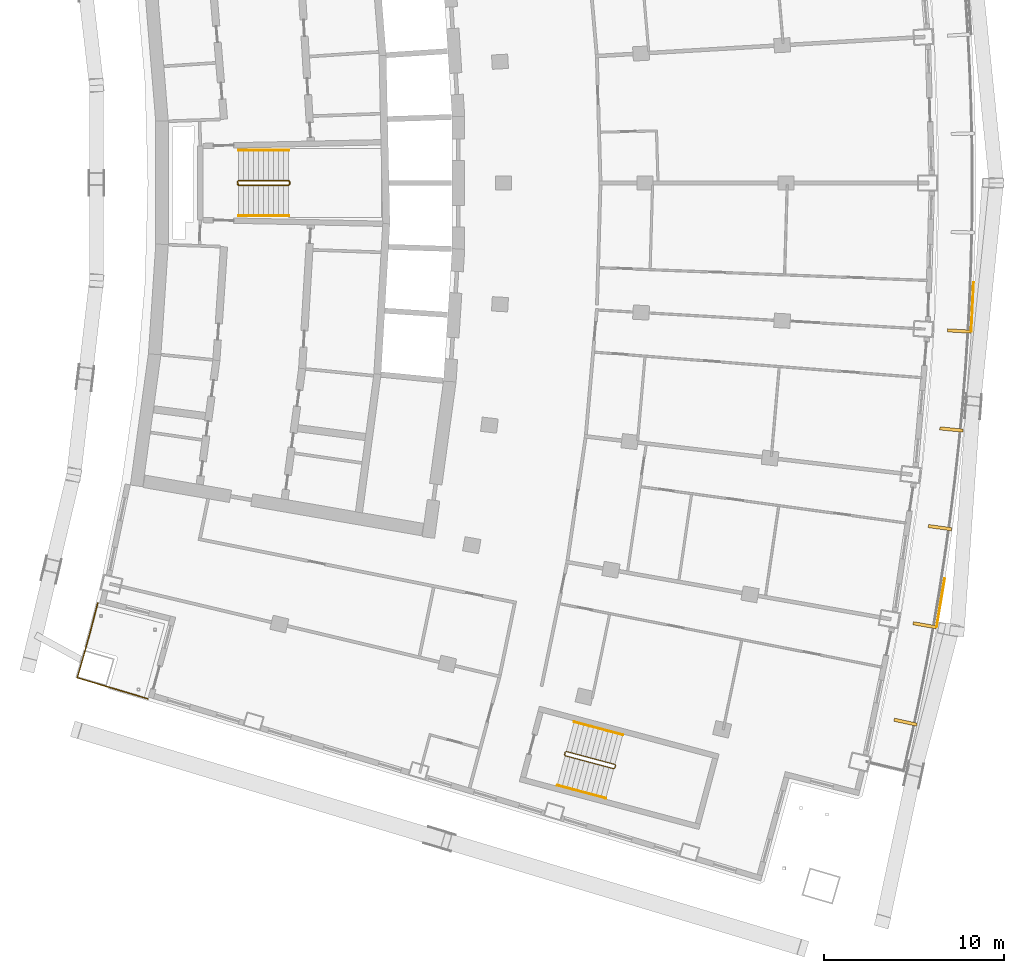
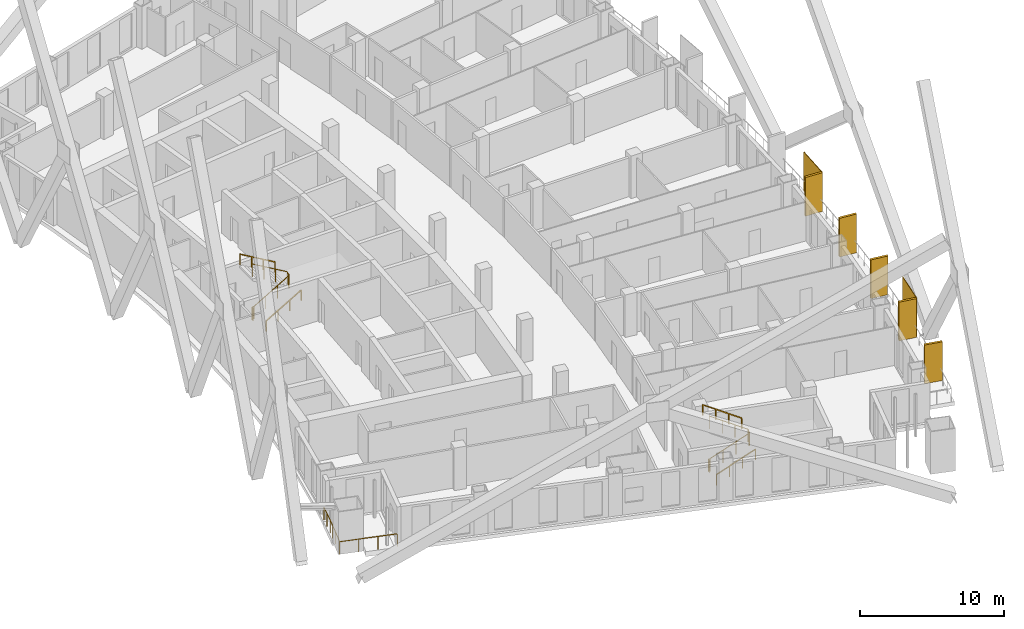
# One storey, part 20 of 22: 7 railings, 7 shading devices.
"""IFC4 building model written with IfcOpenShell, lengths in metres."""

from ifc_helpers import new_model, si_unit, direction, frame, origin, origin_with_axes, origin_2d, place, context, subcontext, project, spatial, rectangle, extrude, material, layer, layer_set, type_object, element, save


model = new_model("IFC4")

# Units and contexts
model_context = context("Model", 3, precision=1e-05, world=origin(), true_north=direction((0.0, 1.0)))
body_context = subcontext(model_context, "Body", "Model", "MODEL_VIEW")
ifc_project = project(units=[si_unit("LENGTHUNIT", "METRE"), si_unit("AREAUNIT", "SQUARE_METRE"), si_unit("VOLUMEUNIT", "CUBIC_METRE"), si_unit("PLANEANGLEUNIT", "RADIAN"), si_unit("MASSUNIT", "GRAM", prefix="KILO")], contexts=[model_context])

# Site, building, storey
site_placement = place(None, origin())
site = spatial("IfcSite", under=ifc_project, at=site_placement, CompositionType="ELEMENT")
building_placement = place(site_placement, origin())
building = spatial("IfcBuilding", under=site, at=building_placement, Name="Alderwake Tower", CompositionType="ELEMENT")
storey_placement = place(building_placement, frame((0.0, 0.0, 160.39990234375)))
storey = spatial("IfcBuildingStorey", under=building, at=storey_placement, Name="L39", CompositionType="ELEMENT", Elevation=160.39990234375)

# Railing
ifc_material_1 = material(Name="Stainless steel 316 rail and posts", Category="steel")
railing_type_1 = type_object("IfcRailingType", Name="Balcony guard 1100", PredefinedType="GUARDRAIL", material=ifc_material_1)
railing_1_placement = place(storey_placement, frame((13.210693359375, 37.612548828125, 0.0)))
element("IfcRailing", 1, at=railing_1_placement, inside=storey, type_object=railing_type_1, Name="Guard terrace RS", PredefinedType="GUARDRAIL", context=body_context, shape_type="SweptSolid", body=[
    extrude(rectangle(XDim=0.048095703125, YDim=0.048095703125, at=origin_2d()), frame((0.0, 0.0, 1.076171875), z_axis=(-0.251385381433, -0.967887075026, 0.0), x_axis=(0.967887075026, -0.251385381433, 0.0)), (0.0, 0.0, 1.0), 1.6015625),
    extrude(rectangle(XDim=0.048095703125, YDim=0.048095703125, at=origin_2d()), frame((-0.402587890625, -1.550048828125, 1.076171875), z_axis=(-0.266520638672, -0.963829211615, 0.0), x_axis=(0.963829211615, -0.266520638672, 0.0)), (0.0, 0.0, 1.0), 1.401611328125),
    extrude(rectangle(XDim=0.048095703125, YDim=0.048095703125, at=origin_2d()), frame((-0.776123046875, -2.90087890625, 1.076171875), z_axis=(-0.280093650878, -0.959972680204, 0.0), x_axis=(0.959972680204, -0.280093650878, 0.0)), (0.0, 0.0, 1.0), 1.30126953125),
    extrude(rectangle(XDim=0.048095703125, YDim=0.048095703125, at=origin_2d()), frame((-1.140625, -4.150146484375, 1.076171875), z_axis=(0.958066871889, -0.286544706789, 0.0), x_axis=(0.286544706789, 0.958066871889, 0.0)), (0.0, 0.0, 1.0), 4.099853515625),
    extrude(rectangle(XDim=0.0419921875, YDim=0.0419921875, at=origin_2d()), frame((0.0, 0.0, 0.0), z_axis=(0.0, 0.0, 1.0), x_axis=(-0.251385381433, -0.967887075026, 0.0)), (0.0, 0.0, 1.0), 1.052001953125),
    extrude(rectangle(XDim=0.0419921875, YDim=0.0419921875, at=origin_2d()), frame((-0.201171875, -0.77490234375, 0.0), z_axis=(0.0, 0.0, 1.0), x_axis=(-0.251385381433, -0.967887075026, 0.0)), (0.0, 0.0, 1.0), 1.052001953125),
    extrude(rectangle(XDim=0.0419921875, YDim=0.0419921875, at=origin_2d()), frame((-0.402587890625, -1.550048828125, 0.0), z_axis=(0.0, 0.0, 1.0), x_axis=(-0.266520638672, -0.963829211615, 0.0)), (0.0, 0.0, 1.0), 1.052001953125),
    extrude(rectangle(XDim=0.0419921875, YDim=0.0419921875, at=origin_2d()), frame((-0.58935546875, -2.2255859375, 0.0), z_axis=(0.0, 0.0, 1.0), x_axis=(-0.266520638672, -0.963829211615, 0.0)), (0.0, 0.0, 1.0), 1.052001953125),
    extrude(rectangle(XDim=0.0419921875, YDim=0.0419921875, at=origin_2d()), frame((-0.776123046875, -2.90087890625, 0.0), z_axis=(0.0, 0.0, 1.0), x_axis=(-0.280093650878, -0.959972680204, 0.0)), (0.0, 0.0, 1.0), 1.052001953125),
    extrude(rectangle(XDim=0.0419921875, YDim=0.0419921875, at=origin_2d()), frame((-1.140625, -4.150146484375, 0.0), z_axis=(0.0, 0.0, 1.0), x_axis=(0.958066871889, -0.286544706789, 0.0)), (0.0, 0.0, 1.0), 1.052001953125),
    extrude(rectangle(XDim=0.0419921875, YDim=0.0419921875, at=origin_2d()), frame((0.168701171875, -4.541748046875, 0.0), z_axis=(0.0, 0.0, 1.0), x_axis=(0.958066871889, -0.286544706789, 0.0)), (0.0, 0.0, 1.0), 1.052001953125),
    extrude(rectangle(XDim=0.0419921875, YDim=0.0419921875, at=origin_2d()), frame((1.47802734375, -4.933349609375, 0.0), z_axis=(0.0, 0.0, 1.0), x_axis=(0.958066871889, -0.286544706789, 0.0)), (0.0, 0.0, 1.0), 1.052001953125),
    extrude(rectangle(XDim=0.0419921875, YDim=0.0419921875, at=origin_2d()), frame((2.787353515625, -5.324951171875, 0.0), z_axis=(0.0, 0.0, 1.0), x_axis=(0.958066871889, -0.286544706789, 0.0)), (0.0, 0.0, 1.0), 1.052001953125),
])

# Shading devices
ifc_material_2 = material(Name="Bronze anodised aluminium", Category="aluminium")
ifc_layer_1 = layer(ifc_material_2, 0.179931640625)
ifc_layer_set_1 = layer_set([ifc_layer_1], Name="Facade fin 1300")
shading_device_type_1 = type_object("IfcShadingDeviceType", Name="Facade fin 1300", PredefinedType="USERDEFINED", material=ifc_layer_set_1)
for number, where, z_axis, x_axis, name in (
    (2, (58.177490234375, 30.984619140625, 0.0), (0.0, 0.0, 1.0), (0.977210363881, -0.212273184185, 0.0), "Fin"),
    (3, (59.240234375, 36.381103515625, 0.0), (0.0, 0.0, 1.0), (0.984726421654, -0.174108800747, 0.0), "Fin"),
    (4, (60.09228515625, 41.814697265625, 0.0), (0.0, 0.0, 1.0), (0.990752577235, -0.135680988728, 0.0), "Fin"),
    (5, (60.732666015625, 47.277587890625, 0.0), (0.0, 0.0, 1.0), (0.995279882363, -0.097046152751, 0.0), "Fin"),
    (6, (61.159912109375, 52.760986328125, 0.0), (0.0, 0.0, 1.0), (0.998301080988, -0.058266214038, 0.0), "Fin"),
):
    element("IfcShadingDevice", number, at=place(storey_placement, frame(where, z_axis=z_axis, x_axis=x_axis)), inside=storey, type_object=shading_device_type_1, Name=name, ObjectType="FIN", PredefinedType="USERDEFINED", context=body_context, shape_type="SweptSolid", body=[
        extrude(rectangle(XDim=1.300048828125, YDim=0.179931640625, at=origin_2d()), origin(), (0.0, 0.0, 1.0), 3.280029296875),
    ])
ifc_material_3 = material(Name="Perforated bronze anodised aluminium", Category="aluminium")
ifc_layer_2 = layer(ifc_material_3, 0.050048828125)
ifc_layer_set_2 = layer_set([ifc_layer_2], Name="Perforated screen panel")
shading_device_type_2 = type_object("IfcShadingDeviceType", Name="Perforated screen panel", PredefinedType="USERDEFINED", material=ifc_layer_set_2)
for number, where, z_axis, x_axis, name in (
    (7, (60.1318359375, 37.622802734375, 0.0), (0.0, 0.0, 1.0), (0.986369013299, -0.164548380739, 0.0), "Screen panel"),
    (8, (61.900634765625, 54.09814453125, 0.0), (0.0, 0.0, 1.0), (0.998819231138, -0.048581308217, 0.0), "Screen panel"),
):
    element("IfcShadingDevice", number, at=place(storey_placement, frame(where, z_axis=z_axis, x_axis=x_axis)), inside=storey, type_object=shading_device_type_2, Name=name, ObjectType="SCREEN", PredefinedType="USERDEFINED", context=body_context, shape_type="SweptSolid", body=[
        extrude(rectangle(XDim=0.050048828125, YDim=2.756103515625, at=origin_2d()), origin(), (0.0, 0.0, 1.0), 3.280029296875),
    ])

# Railings
ifc_material_4 = material(Name="Stainless steel guard", Category="steel")
railing_type_2 = type_object("IfcRailingType", Name="Stair guard 1100", PredefinedType="GUARDRAIL", material=ifc_material_4)
railing_2_placement = place(storey_placement, frame((20.989990234375, 60.925048828125, 0.0)))
element("IfcRailing", 9, at=railing_2_placement, inside=storey, type_object=railing_type_2, Name="L39 ST-B stair guard 1", PredefinedType="GUARDRAIL", context=body_context, shape_type="SweptSolid", body=[
    extrude(rectangle(XDim=0.048095703125, YDim=0.048095703125, at=origin_2d()), frame((0.0, 0.0, 1.076171875), z_axis=(0.0, 1.0, 0.0), x_axis=(-1.0, 0.0, 0.0)), (0.0, 0.0, 1.0), 0.14990234375),
    extrude(rectangle(XDim=0.048095703125, YDim=0.048095703125, at=origin_2d()), frame((0.0, 0.14990234375, 1.076171875), z_axis=(0.190089865108, -0.759432192796, 0.622196582865), x_axis=(0.970072785993, 0.242814311512, 0.0)), (0.0, 0.0, 1.0), 0.26318359375),
    extrude(rectangle(XDim=0.048095703125, YDim=0.048095703125, at=origin_2d()), frame((0.050048828125, -0.050048828125, 1.23974609375), z_axis=(0.863393664356, 0.0, 0.504530851732), x_axis=(0.0, 1.0, 0.0)), (0.0, 0.0, 1.0), 3.2431640625),
    extrude(rectangle(XDim=0.048095703125, YDim=0.048095703125, at=origin_2d()), frame((2.85009765625, -0.050048828125, 2.8759765625), z_axis=(0.705375805398, 0.708833529934, 0.0), x_axis=(-0.708833529934, 0.705375805398, 0.0)), (0.0, 0.0, 1.0), 0.070556640625),
    extrude(rectangle(XDim=0.048095703125, YDim=0.048095703125, at=origin_2d()), frame((2.89990234375, 0.0, 2.8759765625), z_axis=(0.0, 1.0, 0.0), x_axis=(-1.0, 0.0, 0.0)), (0.0, 0.0, 1.0), 0.14990234375),
    extrude(rectangle(XDim=0.048095703125, YDim=0.048095703125, at=origin_2d()), frame((2.89990234375, 0.14990234375, 2.8759765625), z_axis=(-0.279546231943, 0.280916556609, 0.91811752648), x_axis=(-0.708833529934, -0.705375805398, 0.0)), (0.0, 0.0, 1.0), 0.17822265625),
    extrude(rectangle(XDim=0.048095703125, YDim=0.048095703125, at=origin_2d()), frame((2.85009765625, 0.199951171875, 3.03955078125), z_axis=(-0.863360870873, 0.0, 0.504586966384), x_axis=(0.0, -1.0, 0.0)), (0.0, 0.0, 1.0), 3.2431640625),
    extrude(rectangle(XDim=0.0419921875, YDim=0.0419921875, at=origin_2d()), frame((0.0, 0.0, 0.0), z_axis=(0.0, 0.0, 1.0), x_axis=(0.0, 1.0, 0.0)), (0.0, 0.0, 1.0), 1.052001953125),
    extrude(rectangle(XDim=0.0419921875, YDim=0.0419921875, at=origin_2d()), frame((0.0, 0.14990234375, 0.0), z_axis=(0.0, 0.0, 1.0), x_axis=(0.242814311512, -0.970072785993, 0.0)), (0.0, 0.0, 1.0), 1.052001953125),
    extrude(rectangle(XDim=0.0419921875, YDim=0.0419921875, at=origin_2d()), frame((0.050048828125, -0.050048828125, 0.163818359375), z_axis=(0.0, 0.0, 1.0), x_axis=(1.0, 0.0, 0.0)), (0.0, 0.0, 1.0), 1.052001953125),
    extrude(rectangle(XDim=0.0419921875, YDim=0.0419921875, at=origin_2d()), frame((0.9833984375, -0.050048828125, 0.709228515625), z_axis=(0.0, 0.0, 1.0), x_axis=(1.0, 0.0, 0.0)), (0.0, 0.0, 1.0), 1.052001953125),
    extrude(rectangle(XDim=0.0419921875, YDim=0.0419921875, at=origin_2d()), frame((1.916748046875, -0.050048828125, 1.254638671875), z_axis=(0.0, 0.0, 1.0), x_axis=(1.0, 0.0, 0.0)), (0.0, 0.0, 1.0), 1.052001953125),
    extrude(rectangle(XDim=0.0419921875, YDim=0.0419921875, at=origin_2d()), frame((2.85009765625, -0.050048828125, 1.800048828125), z_axis=(0.0, 0.0, 1.0), x_axis=(0.705375805398, 0.708833529934, 0.0)), (0.0, 0.0, 1.0), 1.052001953125),
    extrude(rectangle(XDim=0.0419921875, YDim=0.0419921875, at=origin_2d()), frame((2.89990234375, 0.0, 1.800048828125), z_axis=(0.0, 0.0, 1.0), x_axis=(0.0, 1.0, 0.0)), (0.0, 0.0, 1.0), 1.052001953125),
    extrude(rectangle(XDim=0.0419921875, YDim=0.0419921875, at=origin_2d()), frame((2.89990234375, 0.14990234375, 1.800048828125), z_axis=(0.0, 0.0, 1.0), x_axis=(-0.705375805398, 0.708833529934, 0.0)), (0.0, 0.0, 1.0), 1.052001953125),
    extrude(rectangle(XDim=0.0419921875, YDim=0.0419921875, at=origin_2d()), frame((2.85009765625, 0.199951171875, 1.963623046875), z_axis=(0.0, 0.0, 1.0), x_axis=(-1.0, 0.0, 0.0)), (0.0, 0.0, 1.0), 1.052001953125),
    extrude(rectangle(XDim=0.0419921875, YDim=0.0419921875, at=origin_2d()), frame((1.916748046875, 0.199951171875, 2.509033203125), z_axis=(0.0, 0.0, 1.0), x_axis=(-1.0, 0.0, 0.0)), (0.0, 0.0, 1.0), 1.052001953125),
    extrude(rectangle(XDim=0.0419921875, YDim=0.0419921875, at=origin_2d()), frame((0.9833984375, 0.199951171875, 3.0546875), z_axis=(0.0, 0.0, 1.0), x_axis=(-1.0, 0.0, 0.0)), (0.0, 0.0, 1.0), 1.052001953125),
    extrude(rectangle(XDim=0.0419921875, YDim=0.0419921875, at=origin_2d()), frame((0.050048828125, 0.199951171875, 3.60009765625), z_axis=(0.0, 0.0, 1.0), x_axis=(-1.0, 0.0, 0.0)), (0.0, 0.0, 1.0), 1.052001953125),
])
railing_3_placement = place(storey_placement, frame((39.1943359375, 29.17431640625, 0.0)))
element("IfcRailing", 10, at=railing_3_placement, inside=storey, type_object=railing_type_2, Name="L39 ST-C stair guard 1", PredefinedType="GUARDRAIL", context=body_context, shape_type="SweptSolid", body=[
    extrude(rectangle(XDim=0.048095703125, YDim=0.048095703125, at=origin_2d()), frame((0.0, 0.0, 1.076171875), z_axis=(0.257459803502, 0.966289009345, 0.0), x_axis=(-0.966289009345, 0.257459803502, 0.0)), (0.0, 0.0, 1.0), 0.14990234375),
    extrude(rectangle(XDim=0.048095703125, YDim=0.048095703125, at=origin_2d()), frame((0.03857421875, 0.144775390625, 1.076171875), z_axis=(-0.012055935761, -0.782708444821, 0.622271761226), x_axis=(0.999881397308, -0.015401016783, 0.0)), (0.0, 0.0, 1.0), 0.26318359375),
    extrude(rectangle(XDim=0.048095703125, YDim=0.048095703125, at=origin_2d()), frame((0.035400390625, -0.061279296875, 1.23974609375), z_axis=(0.834313512087, -0.222222637163, 0.504517653885), x_axis=(0.257380452725, 0.966310148221, 0.0)), (0.0, 0.0, 1.0), 3.2431640625),
    extrude(rectangle(XDim=0.048095703125, YDim=0.048095703125, at=origin_2d()), frame((2.7412109375, -0.781982421875, 2.8759765625), z_axis=(0.865031189262, 0.501718089772, 0.0), x_axis=(-0.501718089772, 0.865031189262, 0.0)), (0.0, 0.0, 1.0), 0.070556640625),
    extrude(rectangle(XDim=0.048095703125, YDim=0.048095703125, at=origin_2d()), frame((2.80224609375, -0.74658203125, 2.8759765625), z_axis=(0.257055032184, 0.966396766566, 0.0), x_axis=(-0.966396766566, 0.257055032184, 0.0)), (0.0, 0.0, 1.0), 0.150146484375),
    extrude(rectangle(XDim=0.048095703125, YDim=0.048095703125, at=origin_2d()), frame((2.8408203125, -0.6015625, 2.8759765625), z_axis=(-0.198625291617, 0.343827228937, 0.91778583023), x_axis=(-0.865898279276, -0.500220121494, 0.0)), (0.0, 0.0, 1.0), 0.17822265625),
    extrude(rectangle(XDim=0.048095703125, YDim=0.048095703125, at=origin_2d()), frame((2.805419921875, -0.540283203125, 3.03955078125), z_axis=(-0.834258940753, 0.22222815314, 0.504605457487), x_axis=(-0.257402139082, -0.966304371715, 0.0)), (0.0, 0.0, 1.0), 3.2431640625),
    extrude(rectangle(XDim=0.0419921875, YDim=0.0419921875, at=origin_2d()), frame((0.0, 0.0, 0.0), z_axis=(0.0, 0.0, 1.0), x_axis=(0.257459803502, 0.966289009345, 0.0)), (0.0, 0.0, 1.0), 1.052001953125),
    extrude(rectangle(XDim=0.0419921875, YDim=0.0419921875, at=origin_2d()), frame((0.03857421875, 0.144775390625, 0.0), z_axis=(0.0, 0.0, 1.0), x_axis=(-0.015401016783, -0.999881397308, 0.0)), (0.0, 0.0, 1.0), 1.052001953125),
    extrude(rectangle(XDim=0.0419921875, YDim=0.0419921875, at=origin_2d()), frame((0.035400390625, -0.061279296875, 0.163818359375), z_axis=(0.0, 0.0, 1.0), x_axis=(0.966310148221, -0.257380452725, 0.0)), (0.0, 0.0, 1.0), 1.052001953125),
    extrude(rectangle(XDim=0.0419921875, YDim=0.0419921875, at=origin_2d()), frame((0.937255859375, -0.301513671875, 0.709228515625), z_axis=(0.0, 0.0, 1.0), x_axis=(0.966310148221, -0.257380452725, 0.0)), (0.0, 0.0, 1.0), 1.052001953125),
    extrude(rectangle(XDim=0.0419921875, YDim=0.0419921875, at=origin_2d()), frame((1.83935546875, -0.541748046875, 1.254638671875), z_axis=(0.0, 0.0, 1.0), x_axis=(0.966310148221, -0.257380452725, 0.0)), (0.0, 0.0, 1.0), 1.052001953125),
    extrude(rectangle(XDim=0.0419921875, YDim=0.0419921875, at=origin_2d()), frame((2.7412109375, -0.781982421875, 1.800048828125), z_axis=(0.0, 0.0, 1.0), x_axis=(0.865031189262, 0.501718089772, 0.0)), (0.0, 0.0, 1.0), 1.052001953125),
    extrude(rectangle(XDim=0.0419921875, YDim=0.0419921875, at=origin_2d()), frame((2.80224609375, -0.74658203125, 1.800048828125), z_axis=(0.0, 0.0, 1.0), x_axis=(0.257055032184, 0.966396766566, 0.0)), (0.0, 0.0, 1.0), 1.052001953125),
    extrude(rectangle(XDim=0.0419921875, YDim=0.0419921875, at=origin_2d()), frame((2.8408203125, -0.6015625, 1.800048828125), z_axis=(0.0, 0.0, 1.0), x_axis=(-0.500220121494, 0.865898279276, 0.0)), (0.0, 0.0, 1.0), 1.052001953125),
    extrude(rectangle(XDim=0.0419921875, YDim=0.0419921875, at=origin_2d()), frame((2.805419921875, -0.540283203125, 1.963623046875), z_axis=(0.0, 0.0, 1.0), x_axis=(-0.966304371715, 0.257402139082, 0.0)), (0.0, 0.0, 1.0), 1.052001953125),
    extrude(rectangle(XDim=0.0419921875, YDim=0.0419921875, at=origin_2d()), frame((1.903564453125, -0.300048828125, 2.509033203125), z_axis=(0.0, 0.0, 1.0), x_axis=(-0.966304371715, 0.257402139082, 0.0)), (0.0, 0.0, 1.0), 1.052001953125),
    extrude(rectangle(XDim=0.0419921875, YDim=0.0419921875, at=origin_2d()), frame((1.001708984375, -0.059814453125, 3.0546875), z_axis=(0.0, 0.0, 1.0), x_axis=(-0.966304371715, 0.257402139082, 0.0)), (0.0, 0.0, 1.0), 1.052001953125),
    extrude(rectangle(XDim=0.0419921875, YDim=0.0419921875, at=origin_2d()), frame((0.099853515625, 0.180419921875, 3.60009765625), z_axis=(0.0, 0.0, 1.0), x_axis=(-0.966304371715, 0.257402139082, 0.0)), (0.0, 0.0, 1.0), 1.052001953125),
])
ifc_material_5 = material(Name="Stainless steel handrail", Category="steel")
railing_type_3 = type_object("IfcRailingType", Name="Stair handrail 900", PredefinedType="HANDRAIL", material=ifc_material_5)
railing_4_placement = place(storey_placement, frame((21.0400390625, 59.175048828125, 0.163818359375)))
element("IfcRailing", 11, at=railing_4_placement, inside=storey, type_object=railing_type_3, Name="L39 ST-B stair handrail 1", PredefinedType="HANDRAIL", context=body_context, shape_type="SweptSolid", body=[
    extrude(rectangle(XDim=0.048095703125, YDim=0.048095703125, at=origin_2d()), frame((0.0, 0.0, 0.8759765625), z_axis=(0.863393664356, 0.0, 0.504530851732), x_axis=(0.0, 1.0, 0.0)), (0.0, 0.0, 1.0), 3.2431640625),
    extrude(rectangle(XDim=0.0419921875, YDim=0.0419921875, at=origin_2d()), origin_with_axes(), (0.0, 0.0, 1.0), 0.851806640625),
    extrude(rectangle(XDim=0.0419921875, YDim=0.0419921875, at=origin_2d()), frame((0.933349609375, 0.0, 0.54541015625), z_axis=(0.0, 0.0, 1.0), x_axis=(1.0, 0.0, 0.0)), (0.0, 0.0, 1.0), 0.851806640625),
    extrude(rectangle(XDim=0.0419921875, YDim=0.0419921875, at=origin_2d()), frame((1.86669921875, 0.0, 1.0908203125), z_axis=(0.0, 0.0, 1.0), x_axis=(1.0, 0.0, 0.0)), (0.0, 0.0, 1.0), 0.851806640625),
    extrude(rectangle(XDim=0.0419921875, YDim=0.0419921875, at=origin_2d()), frame((2.800048828125, 0.0, 1.63623046875), z_axis=(0.0, 0.0, 1.0), x_axis=(1.0, 0.0, 0.0)), (0.0, 0.0, 1.0), 0.851806640625),
])
railing_5_placement = place(storey_placement, frame((23.840087890625, 62.824951171875, 1.963623046875)))
element("IfcRailing", 12, at=railing_5_placement, inside=storey, type_object=railing_type_3, Name="L39 ST-B stair handrail 2", PredefinedType="HANDRAIL", context=body_context, shape_type="SweptSolid", body=[
    extrude(rectangle(XDim=0.048095703125, YDim=0.048095703125, at=origin_2d()), frame((0.0, 0.0, 0.8759765625), z_axis=(-0.863360870873, 0.0, 0.504586966384), x_axis=(0.0, -1.0, 0.0)), (0.0, 0.0, 1.0), 3.2431640625),
    extrude(rectangle(XDim=0.0419921875, YDim=0.0419921875, at=origin_2d()), frame((0.0, 0.0, 0.0), z_axis=(0.0, 0.0, 1.0), x_axis=(-1.0, 0.0, 0.0)), (0.0, 0.0, 1.0), 0.851806640625),
    extrude(rectangle(XDim=0.0419921875, YDim=0.0419921875, at=origin_2d()), frame((-0.933349609375, 0.0, 0.54541015625), z_axis=(0.0, 0.0, 1.0), x_axis=(-1.0, 0.0, 0.0)), (0.0, 0.0, 1.0), 0.851806640625),
    extrude(rectangle(XDim=0.0419921875, YDim=0.0419921875, at=origin_2d()), frame((-1.86669921875, 0.0, 1.091064453125), z_axis=(0.0, 0.0, 1.0), x_axis=(-1.0, 0.0, 0.0)), (0.0, 0.0, 1.0), 0.851806640625),
    extrude(rectangle(XDim=0.0419921875, YDim=0.0419921875, at=origin_2d()), frame((-2.800048828125, 0.0, 1.636474609375), z_axis=(0.0, 0.0, 1.0), x_axis=(-1.0, 0.0, 0.0)), (0.0, 0.0, 1.0), 0.851806640625),
])
railing_6_placement = place(storey_placement, frame((38.792236328125, 27.47021484375, 0.163818359375)))
element("IfcRailing", 13, at=railing_6_placement, inside=storey, type_object=railing_type_3, Name="L39 ST-C stair handrail 1", PredefinedType="HANDRAIL", context=body_context, shape_type="SweptSolid", body=[
    extrude(rectangle(XDim=0.048095703125, YDim=0.048095703125, at=origin_2d()), frame((0.0, 0.0, 0.8759765625), z_axis=(0.834304587439, -0.222165027751, 0.504557782442), x_axis=(0.25732071773, 0.966326056891, 0.0)), (0.0, 0.0, 1.0), 3.242919921875),
    extrude(rectangle(XDim=0.0419921875, YDim=0.0419921875, at=origin_2d()), frame((0.0, 0.0, 0.0), z_axis=(0.0, 0.0, 1.0), x_axis=(0.966326056891, -0.25732071773, 0.0)), (0.0, 0.0, 1.0), 0.851806640625),
    extrude(rectangle(XDim=0.0419921875, YDim=0.0419921875, at=origin_2d()), frame((0.90185546875, -0.240234375, 0.54541015625), z_axis=(0.0, 0.0, 1.0), x_axis=(0.966326056891, -0.25732071773, 0.0)), (0.0, 0.0, 1.0), 0.851806640625),
    extrude(rectangle(XDim=0.0419921875, YDim=0.0419921875, at=origin_2d()), frame((1.8037109375, -0.480224609375, 1.0908203125), z_axis=(0.0, 0.0, 1.0), x_axis=(0.966326056891, -0.25732071773, 0.0)), (0.0, 0.0, 1.0), 0.851806640625),
    extrude(rectangle(XDim=0.0419921875, YDim=0.0419921875, at=origin_2d()), frame((2.70556640625, -0.720458984375, 1.63623046875), z_axis=(0.0, 0.0, 1.0), x_axis=(0.966326056891, -0.25732071773, 0.0)), (0.0, 0.0, 1.0), 0.851806640625),
])
railing_7_placement = place(storey_placement, frame((42.437255859375, 30.276611328125, 1.963623046875)))
element("IfcRailing", 14, at=railing_7_placement, inside=storey, type_object=railing_type_3, Name="L39 ST-C stair handrail 2", PredefinedType="HANDRAIL", context=body_context, shape_type="SweptSolid", body=[
    extrude(rectangle(XDim=0.048095703125, YDim=0.048095703125, at=origin_2d()), frame((0.0, 0.0, 0.8759765625), z_axis=(-0.834258940753, 0.22222815314, 0.504605457487), x_axis=(-0.257402139082, -0.966304371715, 0.0)), (0.0, 0.0, 1.0), 3.2431640625),
    extrude(rectangle(XDim=0.0419921875, YDim=0.0419921875, at=origin_2d()), frame((0.0, 0.0, 0.0), z_axis=(0.0, 0.0, 1.0), x_axis=(-0.966304371715, 0.257402139082, 0.0)), (0.0, 0.0, 1.0), 0.851806640625),
    extrude(rectangle(XDim=0.0419921875, YDim=0.0419921875, at=origin_2d()), frame((-0.90185546875, 0.240234375, 0.54541015625), z_axis=(0.0, 0.0, 1.0), x_axis=(-0.966304371715, 0.257402139082, 0.0)), (0.0, 0.0, 1.0), 0.851806640625),
    extrude(rectangle(XDim=0.0419921875, YDim=0.0419921875, at=origin_2d()), frame((-1.8037109375, 0.48046875, 1.091064453125), z_axis=(0.0, 0.0, 1.0), x_axis=(-0.966304371715, 0.257402139082, 0.0)), (0.0, 0.0, 1.0), 0.851806640625),
    extrude(rectangle(XDim=0.0419921875, YDim=0.0419921875, at=origin_2d()), frame((-2.70556640625, 0.720703125, 1.636474609375), z_axis=(0.0, 0.0, 1.0), x_axis=(-0.966304371715, 0.257402139082, 0.0)), (0.0, 0.0, 1.0), 0.851806640625),
])

save(model, "model.ifc")
